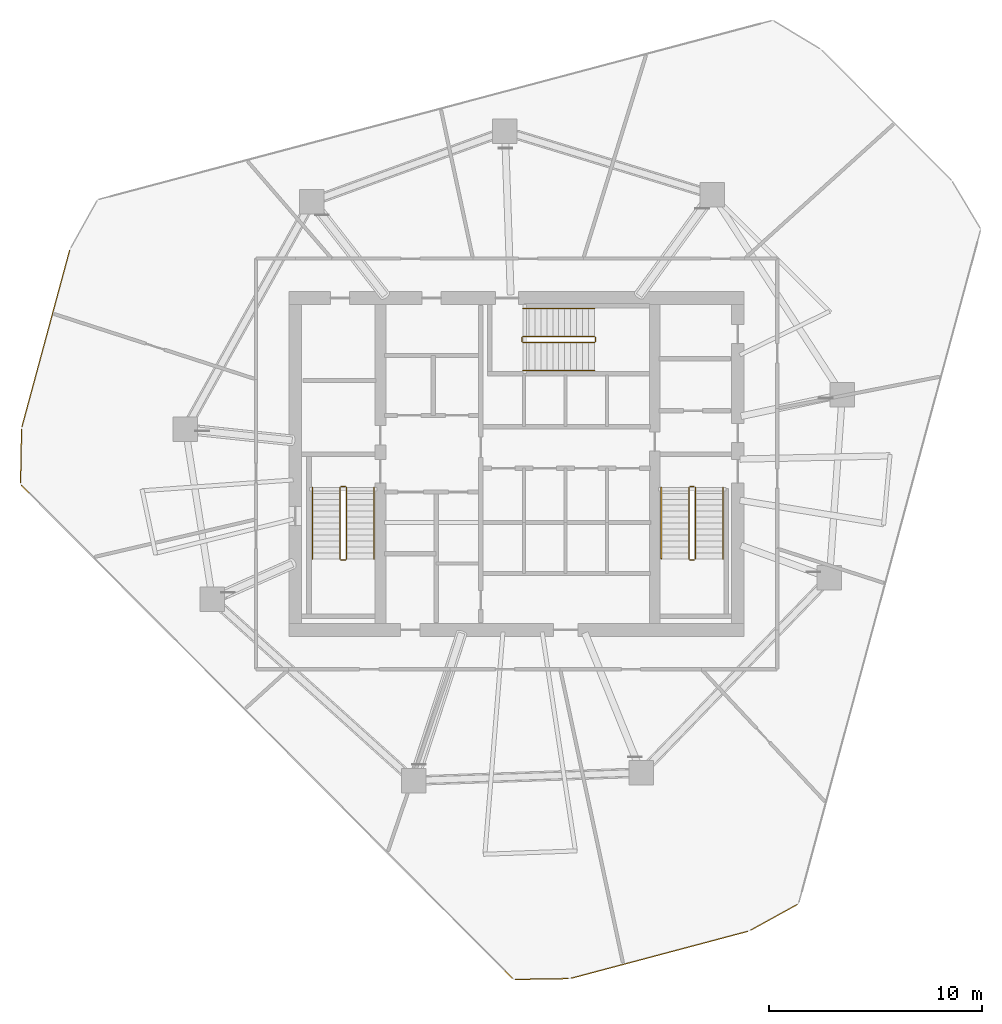
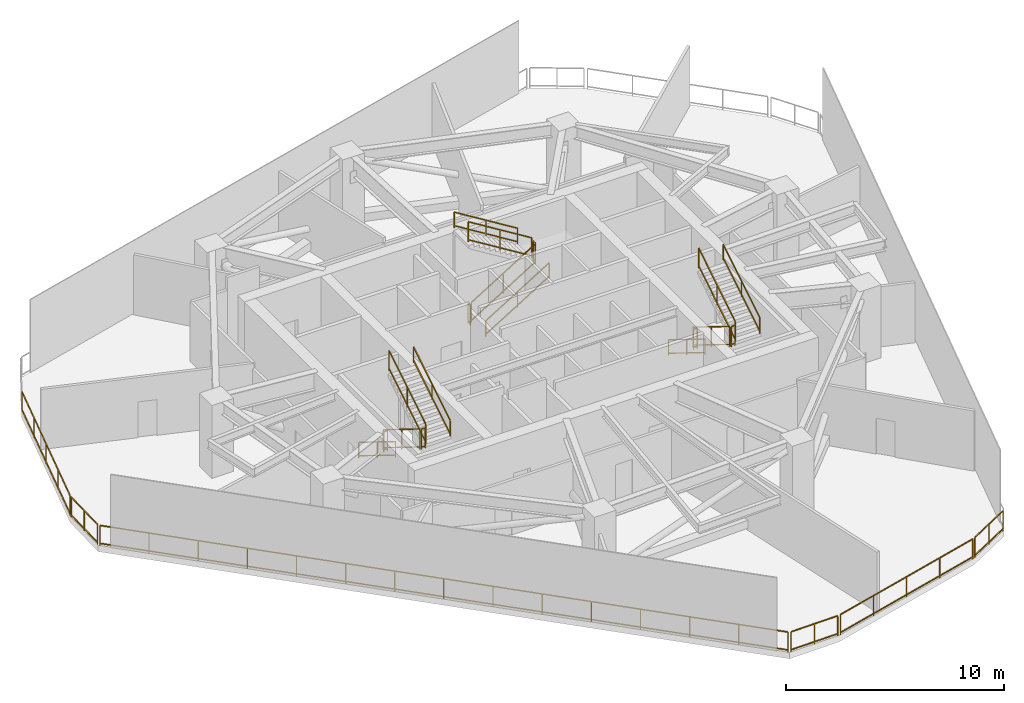
# One storey, part 6 of 7: 24 railings.
"""IFC4 building model written with IfcOpenShell, lengths in metres."""

from ifc_helpers import new_model, si_unit, direction, frame, origin, origin_2d, place, context, subcontext, project, spatial, rectangle, extrude, material, type_object, element, save


model = new_model("IFC4")

# Units and contexts
model_context = context("Model", 3, precision=1e-05, world=origin(), true_north=direction((0.0, 1.0)))
body_context = subcontext(model_context, "Body", "Model", "MODEL_VIEW")
ifc_project = project(units=[si_unit("LENGTHUNIT", "METRE"), si_unit("AREAUNIT", "SQUARE_METRE"), si_unit("VOLUMEUNIT", "CUBIC_METRE"), si_unit("PLANEANGLEUNIT", "RADIAN"), si_unit("MASSUNIT", "GRAM", prefix="KILO")], contexts=[model_context])

# Site, building, storey
site_placement = place(None, origin())
site = spatial("IfcSite", under=ifc_project, at=site_placement, CompositionType="ELEMENT")
building_placement = place(site_placement, origin())
building = spatial("IfcBuilding", under=site, at=building_placement, Name="Qarnah Convention Tower", CompositionType="ELEMENT")
storey_placement = place(building_placement, frame((0.0, 0.0, 121.199951171875)))
storey = spatial("IfcBuildingStorey", under=building, at=storey_placement, Name="L32", CompositionType="ELEMENT", Elevation=121.199951171875)

# Railings
ifc_material_1 = material(Name="Black anodised aluminium", Category="aluminium")
railing_type_1 = type_object("IfcRailingType", Name="RL-EXT-GUARD-1150", PredefinedType="GUARDRAIL", material=ifc_material_1)
railing_1_placement = place(storey_placement, frame((50.39111328125, 5.68798828125, 0.0)))
element("IfcRailing", 1, at=railing_1_placement, inside=storey, type_object=railing_type_1, Name="L32 open refuge and plant deck perimeter guard 04", PredefinedType="GUARDRAIL", context=body_context, shape_type="SweptSolid", body=[
    extrude(rectangle(XDim=0.048095703125, YDim=0.048095703125, at=origin_2d()), frame((0.0, 0.0, 1.1259765625), z_axis=(-0.87590509063, -0.48248344242, 0.0), x_axis=(0.48248344242, -0.87590509063, 0.0)), (0.0, 0.0, 1.0), 2.489013671875),
    extrude(rectangle(XDim=0.048095703125, YDim=0.048095703125, at=origin_2d()), frame((0.0, 0.0, 0.1201171875), z_axis=(-0.87590509063, -0.48248344242, 0.0), x_axis=(0.48248344242, -0.87590509063, 0.0)), (0.0, 0.0, 1.0), 2.489013671875),
    extrude(rectangle(XDim=0.0419921875, YDim=0.0419921875, at=origin_2d()), origin(), (0.0, 0.0, 1.0), 1.101806640625),
    extrude(rectangle(XDim=0.0419921875, YDim=0.0419921875, at=origin_2d()), frame((-1.090087890625, -0.6005859375, 0.0)), (0.0, 0.0, 1.0), 1.101806640625),
    extrude(rectangle(XDim=0.0419921875, YDim=0.0419921875, at=origin_2d()), frame((-2.18017578125, -1.200927734375, 0.0)), (0.0, 0.0, 1.0), 1.101806640625),
])
railing_2_placement = place(storey_placement, frame((48.06396484375, 4.427001953125, 0.0)))
element("IfcRailing", 2, at=railing_2_placement, inside=storey, type_object=railing_type_1, Name="L32 open refuge and plant deck perimeter guard 05", PredefinedType="GUARDRAIL", context=body_context, shape_type="SweptSolid", body=[
    extrude(rectangle(XDim=0.048095703125, YDim=0.048095703125, at=origin_2d()), frame((0.0, 0.0, 1.1259765625), z_axis=(-0.966489436028, -0.256706388791, 0.0), x_axis=(0.256706388791, -0.966489436028, 0.0)), (0.0, 0.0, 1.0), 8.566162109375),
    extrude(rectangle(XDim=0.048095703125, YDim=0.048095703125, at=origin_2d()), frame((0.0, 0.0, 0.1201171875), z_axis=(-0.966489436028, -0.256706388791, 0.0), x_axis=(0.256706388791, -0.966489436028, 0.0)), (0.0, 0.0, 1.0), 8.566162109375),
    extrude(rectangle(XDim=0.0419921875, YDim=0.0419921875, at=origin_2d()), origin(), (0.0, 0.0, 1.0), 1.101806640625),
    extrude(rectangle(XDim=0.0419921875, YDim=0.0419921875, at=origin_2d()), frame((-2.06982421875, -0.5498046875, 0.0)), (0.0, 0.0, 1.0), 1.101806640625),
    extrude(rectangle(XDim=0.0419921875, YDim=0.0419921875, at=origin_2d()), frame((-4.1396484375, -1.099609375, 0.0)), (0.0, 0.0, 1.0), 1.101806640625),
    extrude(rectangle(XDim=0.0419921875, YDim=0.0419921875, at=origin_2d()), frame((-6.209228515625, -1.649169921875, 0.0)), (0.0, 0.0, 1.0), 1.101806640625),
    extrude(rectangle(XDim=0.0419921875, YDim=0.0419921875, at=origin_2d()), frame((-8.279052734375, -2.198974609375, 0.0)), (0.0, 0.0, 1.0), 1.101806640625),
])
railing_3_placement = place(storey_placement, frame((39.6279296875, 2.2060546875, 0.0)))
element("IfcRailing", 3, at=railing_3_placement, inside=storey, type_object=railing_type_1, Name="L32 open refuge and plant deck perimeter guard 06", PredefinedType="GUARDRAIL", context=body_context, shape_type="SweptSolid", body=[
    extrude(rectangle(XDim=0.048095703125, YDim=0.048095703125, at=origin_2d()), frame((0.0, 0.0, 1.1259765625), z_axis=(-0.999876775777, -0.015698192928, 0.0), x_axis=(0.015698192928, -0.999876775777, 0.0)), (0.0, 0.0, 1.0), 2.48828125),
    extrude(rectangle(XDim=0.048095703125, YDim=0.048095703125, at=origin_2d()), frame((0.0, 0.0, 0.1201171875), z_axis=(-0.999876775777, -0.015698192928, 0.0), x_axis=(0.015698192928, -0.999876775777, 0.0)), (0.0, 0.0, 1.0), 2.48828125),
    extrude(rectangle(XDim=0.0419921875, YDim=0.0419921875, at=origin_2d()), origin(), (0.0, 0.0, 1.0), 1.101806640625),
    extrude(rectangle(XDim=0.0419921875, YDim=0.0419921875, at=origin_2d()), frame((-1.244140625, -0.01953125, 0.0)), (0.0, 0.0, 1.0), 1.101806640625),
    extrude(rectangle(XDim=0.0419921875, YDim=0.0419921875, at=origin_2d()), frame((-2.488037109375, -0.0390625, 0.0)), (0.0, 0.0, 1.0), 1.101806640625),
])
railing_4_placement = place(storey_placement, frame((37.00390625, 2.222900390625, 0.0)))
element("IfcRailing", 4, at=railing_4_placement, inside=storey, type_object=railing_type_1, Name="L32 open refuge and plant deck perimeter guard 07", PredefinedType="GUARDRAIL", context=body_context, shape_type="SweptSolid", body=[
    extrude(rectangle(XDim=0.048095703125, YDim=0.048095703125, at=origin_2d()), frame((0.0, 0.0, 1.1259765625), z_axis=(-0.705648964723, 0.7085615983, 0.0), x_axis=(-0.7085615983, -0.705648964723, 0.0)), (0.0, 0.0, 1.0), 32.690185546875),
    extrude(rectangle(XDim=0.048095703125, YDim=0.048095703125, at=origin_2d()), frame((0.0, 0.0, 0.1201171875), z_axis=(-0.705648964723, 0.7085615983, 0.0), x_axis=(-0.7085615983, -0.705648964723, 0.0)), (0.0, 0.0, 1.0), 32.690185546875),
    extrude(rectangle(XDim=0.0419921875, YDim=0.0419921875, at=origin_2d()), origin(), (0.0, 0.0, 1.0), 1.101806640625),
    extrude(rectangle(XDim=0.0419921875, YDim=0.0419921875, at=origin_2d()), frame((-1.647705078125, 1.654541015625, 0.0)), (0.0, 0.0, 1.0), 1.101806640625),
    extrude(rectangle(XDim=0.0419921875, YDim=0.0419921875, at=origin_2d()), frame((-3.29541015625, 3.30908203125, 0.0)), (0.0, 0.0, 1.0), 1.101806640625),
    extrude(rectangle(XDim=0.0419921875, YDim=0.0419921875, at=origin_2d()), frame((-4.943115234375, 4.963623046875, 0.0)), (0.0, 0.0, 1.0), 1.101806640625),
    extrude(rectangle(XDim=0.0419921875, YDim=0.0419921875, at=origin_2d()), frame((-6.5908203125, 6.617919921875, 0.0)), (0.0, 0.0, 1.0), 1.101806640625),
    extrude(rectangle(XDim=0.0419921875, YDim=0.0419921875, at=origin_2d()), frame((-8.238525390625, 8.2724609375, 0.0)), (0.0, 0.0, 1.0), 1.101806640625),
    extrude(rectangle(XDim=0.0419921875, YDim=0.0419921875, at=origin_2d()), frame((-9.88623046875, 9.927001953125, 0.0)), (0.0, 0.0, 1.0), 1.101806640625),
    extrude(rectangle(XDim=0.0419921875, YDim=0.0419921875, at=origin_2d()), frame((-11.533935546875, 11.58154296875, 0.0)), (0.0, 0.0, 1.0), 1.101806640625),
    extrude(rectangle(XDim=0.0419921875, YDim=0.0419921875, at=origin_2d()), frame((-13.181640625, 13.236083984375, 0.0)), (0.0, 0.0, 1.0), 1.101806640625),
    extrude(rectangle(XDim=0.0419921875, YDim=0.0419921875, at=origin_2d()), frame((-14.829345703125, 14.890625, 0.0)), (0.0, 0.0, 1.0), 1.101806640625),
    extrude(rectangle(XDim=0.0419921875, YDim=0.0419921875, at=origin_2d()), frame((-16.47705078125, 16.545166015625, 0.0)), (0.0, 0.0, 1.0), 1.101806640625),
    extrude(rectangle(XDim=0.0419921875, YDim=0.0419921875, at=origin_2d()), frame((-18.124755859375, 18.199462890625, 0.0)), (0.0, 0.0, 1.0), 1.101806640625),
    extrude(rectangle(XDim=0.0419921875, YDim=0.0419921875, at=origin_2d()), frame((-19.7724609375, 19.85400390625, 0.0)), (0.0, 0.0, 1.0), 1.101806640625),
    extrude(rectangle(XDim=0.0419921875, YDim=0.0419921875, at=origin_2d()), frame((-21.420166015625, 21.508544921875, 0.0)), (0.0, 0.0, 1.0), 1.101806640625),
    extrude(rectangle(XDim=0.0419921875, YDim=0.0419921875, at=origin_2d()), frame((-23.06787109375, 23.1630859375, 0.0)), (0.0, 0.0, 1.0), 1.101806640625),
])
railing_5_placement = place(storey_placement, frame((13.882080078125, 25.52294921875, 0.0)))
element("IfcRailing", 5, at=railing_5_placement, inside=storey, type_object=railing_type_1, Name="L32 open refuge and plant deck perimeter guard 08", PredefinedType="GUARDRAIL", context=body_context, shape_type="SweptSolid", body=[
    extrude(rectangle(XDim=0.048095703125, YDim=0.048095703125, at=origin_2d()), frame((0.0, 0.0, 1.1259765625), z_axis=(0.019221558486, 0.999815248778, 0.0), x_axis=(-0.999815248778, 0.019221558486, 0.0)), (0.0, 0.0, 1.0), 2.489501953125),
    extrude(rectangle(XDim=0.048095703125, YDim=0.048095703125, at=origin_2d()), frame((0.0, 0.0, 0.1201171875), z_axis=(0.019221558486, 0.999815248778, 0.0), x_axis=(-0.999815248778, 0.019221558486, 0.0)), (0.0, 0.0, 1.0), 2.489501953125),
    extrude(rectangle(XDim=0.0419921875, YDim=0.0419921875, at=origin_2d()), origin(), (0.0, 0.0, 1.0), 1.101806640625),
    extrude(rectangle(XDim=0.0419921875, YDim=0.0419921875, at=origin_2d()), frame((0.02392578125, 1.24462890625, 0.0)), (0.0, 0.0, 1.0), 1.101806640625),
    extrude(rectangle(XDim=0.0419921875, YDim=0.0419921875, at=origin_2d()), frame((0.0478515625, 2.489013671875, 0.0)), (0.0, 0.0, 1.0), 1.101806640625),
])
railing_6_placement = place(storey_placement, frame((13.952880859375, 28.1689453125, 0.0)))
element("IfcRailing", 6, at=railing_6_placement, inside=storey, type_object=railing_type_1, Name="L32 open refuge and plant deck perimeter guard 09", PredefinedType="GUARDRAIL", context=body_context, shape_type="SweptSolid", body=[
    extrude(rectangle(XDim=0.048095703125, YDim=0.048095703125, at=origin_2d()), frame((0.0, 0.0, 1.1259765625), z_axis=(0.260827901248, 0.965385314748, 0.0), x_axis=(-0.965385314748, 0.260827901248, 0.0)), (0.0, 0.0, 1.0), 8.5654296875),
    extrude(rectangle(XDim=0.048095703125, YDim=0.048095703125, at=origin_2d()), frame((0.0, 0.0, 0.1201171875), z_axis=(0.260827901248, 0.965385314748, 0.0), x_axis=(-0.965385314748, 0.260827901248, 0.0)), (0.0, 0.0, 1.0), 8.5654296875),
    extrude(rectangle(XDim=0.0419921875, YDim=0.0419921875, at=origin_2d()), origin(), (0.0, 0.0, 1.0), 1.101806640625),
    extrude(rectangle(XDim=0.0419921875, YDim=0.0419921875, at=origin_2d()), frame((0.55859375, 2.0673828125, 0.0)), (0.0, 0.0, 1.0), 1.101806640625),
    extrude(rectangle(XDim=0.0419921875, YDim=0.0419921875, at=origin_2d()), frame((1.1171875, 4.134521484375, 0.0)), (0.0, 0.0, 1.0), 1.101806640625),
    extrude(rectangle(XDim=0.0419921875, YDim=0.0419921875, at=origin_2d()), frame((1.675537109375, 6.20166015625, 0.0)), (0.0, 0.0, 1.0), 1.101806640625),
    extrude(rectangle(XDim=0.0419921875, YDim=0.0419921875, at=origin_2d()), frame((2.234130859375, 8.26904296875, 0.0)), (0.0, 0.0, 1.0), 1.101806640625),
])
ifc_material_2 = material(Name="Structural steel S355JR", Category="steel")
railing_type_2 = type_object("IfcRailingType", Name="RL-STAIR-GUARD-1150", PredefinedType="GUARDRAIL", material=ifc_material_2)
railing_7_placement = place(storey_placement, frame((28.89990234375, 25.300048828125, 0.173095703125)))
element("IfcRailing", 7, at=railing_7_placement, inside=storey, type_object=railing_type_2, Name="L32 ST-1 stair guard 1", PredefinedType="GUARDRAIL", context=body_context, shape_type="SweptSolid", body=[
    extrude(rectangle(XDim=0.048095703125, YDim=0.048095703125, at=origin_2d()), frame((0.0, 0.0, 1.1259765625), z_axis=(0.0, -0.850623216509, 0.525775754039), x_axis=(1.0, 0.0, 0.0)), (0.0, 0.0, 1.0), 3.9501953125),
    extrude(rectangle(XDim=0.048095703125, YDim=0.048095703125, at=origin_2d()), frame((0.0, 0.0, 0.1201171875), z_axis=(0.0, -0.850623216509, 0.525775754039), x_axis=(1.0, 0.0, 0.0)), (0.0, 0.0, 1.0), 3.9501953125),
    extrude(rectangle(XDim=0.0419921875, YDim=0.0419921875, at=origin_2d()), origin(), (0.0, 0.0, 1.0), 1.101806640625),
    extrude(rectangle(XDim=0.0419921875, YDim=0.0419921875, at=origin_2d()), frame((0.0, -1.68017578125, 1.03857421875)), (0.0, 0.0, 1.0), 1.101806640625),
    extrude(rectangle(XDim=0.0419921875, YDim=0.0419921875, at=origin_2d()), frame((0.0, -3.360107421875, 2.076904296875)), (0.0, 0.0, 1.0), 1.101806640625),
])
railing_8_placement = place(storey_placement, frame((28.949951171875, 21.889892578125, 2.25)))
element("IfcRailing", 8, at=railing_8_placement, inside=storey, type_object=railing_type_2, Name="L32 ST-1 stair guard 2", PredefinedType="GUARDRAIL", context=body_context, shape_type="SweptSolid", body=[
    extrude(rectangle(XDim=0.048095703125, YDim=0.048095703125, at=origin_2d()), frame((0.0, 0.0, 1.1259765625), z_axis=(1.0, 0.0, 0.0), x_axis=(0.0, 1.0, 0.0)), (0.0, 0.0, 1.0), 0.199951171875),
    extrude(rectangle(XDim=0.048095703125, YDim=0.048095703125, at=origin_2d()), frame((0.0, 0.0, 0.1201171875), z_axis=(1.0, 0.0, 0.0), x_axis=(0.0, 1.0, 0.0)), (0.0, 0.0, 1.0), 0.199951171875),
    extrude(rectangle(XDim=0.0419921875, YDim=0.0419921875, at=origin_2d()), origin(), (0.0, 0.0, 1.0), 1.101806640625),
    extrude(rectangle(XDim=0.0419921875, YDim=0.0419921875, at=origin_2d()), frame((0.199951171875, 0.0, 0.0)), (0.0, 0.0, 1.0), 1.101806640625),
])
railing_9_placement = place(storey_placement, frame((29.199951171875, 21.93994140625, 2.423095703125)))
element("IfcRailing", 9, at=railing_9_placement, inside=storey, type_object=railing_type_2, Name="L32 ST-1 stair guard 3", PredefinedType="GUARDRAIL", context=body_context, shape_type="SweptSolid", body=[
    extrude(rectangle(XDim=0.048095703125, YDim=0.048095703125, at=origin_2d()), frame((0.0, 0.0, 1.1259765625), z_axis=(0.0, 0.850623216509, 0.525775754039), x_axis=(-1.0, 0.0, 0.0)), (0.0, 0.0, 1.0), 3.9501953125),
    extrude(rectangle(XDim=0.048095703125, YDim=0.048095703125, at=origin_2d()), frame((0.0, 0.0, 0.1201171875), z_axis=(0.0, 0.850623216509, 0.525775754039), x_axis=(-1.0, 0.0, 0.0)), (0.0, 0.0, 1.0), 3.9501953125),
    extrude(rectangle(XDim=0.0419921875, YDim=0.0419921875, at=origin_2d()), origin(), (0.0, 0.0, 1.0), 1.101806640625),
    extrude(rectangle(XDim=0.0419921875, YDim=0.0419921875, at=origin_2d()), frame((0.0, 1.68017578125, 1.03857421875)), (0.0, 0.0, 1.0), 1.101806640625),
    extrude(rectangle(XDim=0.0419921875, YDim=0.0419921875, at=origin_2d()), frame((0.0, 3.360107421875, 2.076904296875)), (0.0, 0.0, 1.0), 1.101806640625),
])
railing_10_placement = place(storey_placement, frame((28.949951171875, 25.35009765625, 0.0)))
element("IfcRailing", 10, at=railing_10_placement, inside=storey, type_object=railing_type_2, Name="L32 ST-1 stair guard 4", PredefinedType="GUARDRAIL", context=body_context, shape_type="SweptSolid", body=[
    extrude(rectangle(XDim=0.048095703125, YDim=0.048095703125, at=origin_2d()), frame((0.0, 0.0, 1.1259765625), z_axis=(1.0, 0.0, 0.0), x_axis=(0.0, 1.0, 0.0)), (0.0, 0.0, 1.0), 0.199951171875),
    extrude(rectangle(XDim=0.048095703125, YDim=0.048095703125, at=origin_2d()), frame((0.0, 0.0, 0.1201171875), z_axis=(1.0, 0.0, 0.0), x_axis=(0.0, 1.0, 0.0)), (0.0, 0.0, 1.0), 0.199951171875),
    extrude(rectangle(XDim=0.0419921875, YDim=0.0419921875, at=origin_2d()), origin(), (0.0, 0.0, 1.0), 1.101806640625),
    extrude(rectangle(XDim=0.0419921875, YDim=0.0419921875, at=origin_2d()), frame((0.199951171875, 0.0, 0.0)), (0.0, 0.0, 1.0), 1.101806640625),
])
railing_11_placement = place(storey_placement, frame((45.300048828125, 25.300048828125, 0.173095703125)))
element("IfcRailing", 11, at=railing_11_placement, inside=storey, type_object=railing_type_2, Name="L32 ST-2 stair guard 1", PredefinedType="GUARDRAIL", context=body_context, shape_type="SweptSolid", body=[
    extrude(rectangle(XDim=0.048095703125, YDim=0.048095703125, at=origin_2d()), frame((0.0, 0.0, 1.1259765625), z_axis=(0.0, -0.850623216509, 0.525775754039), x_axis=(1.0, 0.0, 0.0)), (0.0, 0.0, 1.0), 3.9501953125),
    extrude(rectangle(XDim=0.048095703125, YDim=0.048095703125, at=origin_2d()), frame((0.0, 0.0, 0.1201171875), z_axis=(0.0, -0.850623216509, 0.525775754039), x_axis=(1.0, 0.0, 0.0)), (0.0, 0.0, 1.0), 3.9501953125),
    extrude(rectangle(XDim=0.0419921875, YDim=0.0419921875, at=origin_2d()), origin(), (0.0, 0.0, 1.0), 1.101806640625),
    extrude(rectangle(XDim=0.0419921875, YDim=0.0419921875, at=origin_2d()), frame((0.0, -1.68017578125, 1.03857421875)), (0.0, 0.0, 1.0), 1.101806640625),
    extrude(rectangle(XDim=0.0419921875, YDim=0.0419921875, at=origin_2d()), frame((0.0, -3.360107421875, 2.076904296875)), (0.0, 0.0, 1.0), 1.101806640625),
])
railing_12_placement = place(storey_placement, frame((45.35009765625, 21.889892578125, 2.25)))
element("IfcRailing", 12, at=railing_12_placement, inside=storey, type_object=railing_type_2, Name="L32 ST-2 stair guard 2", PredefinedType="GUARDRAIL", context=body_context, shape_type="SweptSolid", body=[
    extrude(rectangle(XDim=0.048095703125, YDim=0.048095703125, at=origin_2d()), frame((0.0, 0.0, 1.1259765625), z_axis=(1.0, 0.0, 0.0), x_axis=(0.0, 1.0, 0.0)), (0.0, 0.0, 1.0), 0.199951171875),
    extrude(rectangle(XDim=0.048095703125, YDim=0.048095703125, at=origin_2d()), frame((0.0, 0.0, 0.1201171875), z_axis=(1.0, 0.0, 0.0), x_axis=(0.0, 1.0, 0.0)), (0.0, 0.0, 1.0), 0.199951171875),
    extrude(rectangle(XDim=0.0419921875, YDim=0.0419921875, at=origin_2d()), origin(), (0.0, 0.0, 1.0), 1.101806640625),
    extrude(rectangle(XDim=0.0419921875, YDim=0.0419921875, at=origin_2d()), frame((0.199951171875, 0.0, 0.0)), (0.0, 0.0, 1.0), 1.101806640625),
])
railing_13_placement = place(storey_placement, frame((45.60009765625, 21.93994140625, 2.423095703125)))
element("IfcRailing", 13, at=railing_13_placement, inside=storey, type_object=railing_type_2, Name="L32 ST-2 stair guard 3", PredefinedType="GUARDRAIL", context=body_context, shape_type="SweptSolid", body=[
    extrude(rectangle(XDim=0.048095703125, YDim=0.048095703125, at=origin_2d()), frame((0.0, 0.0, 1.1259765625), z_axis=(0.0, 0.850623216509, 0.525775754039), x_axis=(-1.0, 0.0, 0.0)), (0.0, 0.0, 1.0), 3.9501953125),
    extrude(rectangle(XDim=0.048095703125, YDim=0.048095703125, at=origin_2d()), frame((0.0, 0.0, 0.1201171875), z_axis=(0.0, 0.850623216509, 0.525775754039), x_axis=(-1.0, 0.0, 0.0)), (0.0, 0.0, 1.0), 3.9501953125),
    extrude(rectangle(XDim=0.0419921875, YDim=0.0419921875, at=origin_2d()), origin(), (0.0, 0.0, 1.0), 1.101806640625),
    extrude(rectangle(XDim=0.0419921875, YDim=0.0419921875, at=origin_2d()), frame((0.0, 1.68017578125, 1.03857421875)), (0.0, 0.0, 1.0), 1.101806640625),
    extrude(rectangle(XDim=0.0419921875, YDim=0.0419921875, at=origin_2d()), frame((0.0, 3.360107421875, 2.076904296875)), (0.0, 0.0, 1.0), 1.101806640625),
])
railing_14_placement = place(storey_placement, frame((45.35009765625, 25.35009765625, 0.0)))
element("IfcRailing", 14, at=railing_14_placement, inside=storey, type_object=railing_type_2, Name="L32 ST-2 stair guard 4", PredefinedType="GUARDRAIL", context=body_context, shape_type="SweptSolid", body=[
    extrude(rectangle(XDim=0.048095703125, YDim=0.048095703125, at=origin_2d()), frame((0.0, 0.0, 1.1259765625), z_axis=(1.0, 0.0, 0.0), x_axis=(0.0, 1.0, 0.0)), (0.0, 0.0, 1.0), 0.199951171875),
    extrude(rectangle(XDim=0.048095703125, YDim=0.048095703125, at=origin_2d()), frame((0.0, 0.0, 0.1201171875), z_axis=(1.0, 0.0, 0.0), x_axis=(0.0, 1.0, 0.0)), (0.0, 0.0, 1.0), 0.199951171875),
    extrude(rectangle(XDim=0.0419921875, YDim=0.0419921875, at=origin_2d()), origin(), (0.0, 0.0, 1.0), 1.101806640625),
    extrude(rectangle(XDim=0.0419921875, YDim=0.0419921875, at=origin_2d()), frame((0.199951171875, 0.0, 0.0)), (0.0, 0.0, 1.0), 1.101806640625),
])
railing_15_placement = place(storey_placement, frame((37.5, 32.10009765625, 0.173095703125)))
element("IfcRailing", 15, at=railing_15_placement, inside=storey, type_object=railing_type_2, Name="L32 ST-3 stair guard 1", PredefinedType="GUARDRAIL", context=body_context, shape_type="SweptSolid", body=[
    extrude(rectangle(XDim=0.048095703125, YDim=0.048095703125, at=origin_2d()), frame((0.0, 0.0, 1.1259765625), z_axis=(0.850623216509, 0.0, 0.525775754039), x_axis=(0.0, 1.0, 0.0)), (0.0, 0.0, 1.0), 3.9501953125),
    extrude(rectangle(XDim=0.048095703125, YDim=0.048095703125, at=origin_2d()), frame((0.0, 0.0, 0.1201171875), z_axis=(0.850623216509, 0.0, 0.525775754039), x_axis=(0.0, 1.0, 0.0)), (0.0, 0.0, 1.0), 3.9501953125),
    extrude(rectangle(XDim=0.0419921875, YDim=0.0419921875, at=origin_2d()), origin(), (0.0, 0.0, 1.0), 1.101806640625),
    extrude(rectangle(XDim=0.0419921875, YDim=0.0419921875, at=origin_2d()), frame((1.68017578125, 0.0, 1.03857421875)), (0.0, 0.0, 1.0), 1.101806640625),
    extrude(rectangle(XDim=0.0419921875, YDim=0.0419921875, at=origin_2d()), frame((3.360107421875, 0.0, 2.076904296875)), (0.0, 0.0, 1.0), 1.101806640625),
])
railing_16_placement = place(storey_placement, frame((40.909912109375, 32.14990234375, 2.25)))
element("IfcRailing", 16, at=railing_16_placement, inside=storey, type_object=railing_type_2, Name="L32 ST-3 stair guard 2", PredefinedType="GUARDRAIL", context=body_context, shape_type="SweptSolid", body=[
    extrude(rectangle(XDim=0.048095703125, YDim=0.048095703125, at=origin_2d()), frame((0.0, 0.0, 1.1259765625), z_axis=(0.0, 1.0, 0.0), x_axis=(-1.0, 0.0, 0.0)), (0.0, 0.0, 1.0), 0.2001953125),
    extrude(rectangle(XDim=0.048095703125, YDim=0.048095703125, at=origin_2d()), frame((0.0, 0.0, 0.1201171875), z_axis=(0.0, 1.0, 0.0), x_axis=(-1.0, 0.0, 0.0)), (0.0, 0.0, 1.0), 0.2001953125),
    extrude(rectangle(XDim=0.0419921875, YDim=0.0419921875, at=origin_2d()), origin(), (0.0, 0.0, 1.0), 1.101806640625),
    extrude(rectangle(XDim=0.0419921875, YDim=0.0419921875, at=origin_2d()), frame((0.0, 0.2001953125, 0.0)), (0.0, 0.0, 1.0), 1.101806640625),
])
railing_17_placement = place(storey_placement, frame((40.860107421875, 32.39990234375, 2.423095703125)))
element("IfcRailing", 17, at=railing_17_placement, inside=storey, type_object=railing_type_2, Name="L32 ST-3 stair guard 3", PredefinedType="GUARDRAIL", context=body_context, shape_type="SweptSolid", body=[
    extrude(rectangle(XDim=0.048095703125, YDim=0.048095703125, at=origin_2d()), frame((0.0, 0.0, 1.1259765625), z_axis=(-0.850623216509, 0.0, 0.525775754039), x_axis=(0.0, -1.0, 0.0)), (0.0, 0.0, 1.0), 3.9501953125),
    extrude(rectangle(XDim=0.048095703125, YDim=0.048095703125, at=origin_2d()), frame((0.0, 0.0, 0.1201171875), z_axis=(-0.850623216509, 0.0, 0.525775754039), x_axis=(0.0, -1.0, 0.0)), (0.0, 0.0, 1.0), 3.9501953125),
    extrude(rectangle(XDim=0.0419921875, YDim=0.0419921875, at=origin_2d()), origin(), (0.0, 0.0, 1.0), 1.101806640625),
    extrude(rectangle(XDim=0.0419921875, YDim=0.0419921875, at=origin_2d()), frame((-1.68017578125, 0.0, 1.03857421875)), (0.0, 0.0, 1.0), 1.101806640625),
    extrude(rectangle(XDim=0.0419921875, YDim=0.0419921875, at=origin_2d()), frame((-3.360107421875, 0.0, 2.076904296875)), (0.0, 0.0, 1.0), 1.101806640625),
])
railing_18_placement = place(storey_placement, frame((37.449951171875, 32.14990234375, 0.0)))
element("IfcRailing", 18, at=railing_18_placement, inside=storey, type_object=railing_type_2, Name="L32 ST-3 stair guard 4", PredefinedType="GUARDRAIL", context=body_context, shape_type="SweptSolid", body=[
    extrude(rectangle(XDim=0.048095703125, YDim=0.048095703125, at=origin_2d()), frame((0.0, 0.0, 1.1259765625), z_axis=(0.0, 1.0, 0.0), x_axis=(-1.0, 0.0, 0.0)), (0.0, 0.0, 1.0), 0.2001953125),
    extrude(rectangle(XDim=0.048095703125, YDim=0.048095703125, at=origin_2d()), frame((0.0, 0.0, 0.1201171875), z_axis=(0.0, 1.0, 0.0), x_axis=(-1.0, 0.0, 0.0)), (0.0, 0.0, 1.0), 0.2001953125),
    extrude(rectangle(XDim=0.0419921875, YDim=0.0419921875, at=origin_2d()), origin(), (0.0, 0.0, 1.0), 1.101806640625),
    extrude(rectangle(XDim=0.0419921875, YDim=0.0419921875, at=origin_2d()), frame((0.0, 0.2001953125, 0.0)), (0.0, 0.0, 1.0), 1.101806640625),
])
railing_type_3 = type_object("IfcRailingType", Name="RL-STAIR-HAND-900", PredefinedType="HANDRAIL", material=ifc_material_2)
railing_19_placement = place(storey_placement, frame((27.60009765625, 25.300048828125, 0.173095703125)))
element("IfcRailing", 19, at=railing_19_placement, inside=storey, type_object=railing_type_3, Name="L32 ST-1 stair handrail 1", PredefinedType="HANDRAIL", context=body_context, shape_type="SweptSolid", body=[
    extrude(rectangle(XDim=0.048095703125, YDim=0.048095703125, at=origin_2d()), frame((0.0, 0.0, 0.8759765625), z_axis=(0.0, -0.850623216509, 0.525775754039), x_axis=(1.0, 0.0, 0.0)), (0.0, 0.0, 1.0), 3.9501953125),
    extrude(rectangle(XDim=0.048095703125, YDim=0.048095703125, at=origin_2d()), frame((0.0, 0.0, 0.1201171875), z_axis=(0.0, -0.850623216509, 0.525775754039), x_axis=(1.0, 0.0, 0.0)), (0.0, 0.0, 1.0), 3.9501953125),
    extrude(rectangle(XDim=0.0419921875, YDim=0.0419921875, at=origin_2d()), origin(), (0.0, 0.0, 1.0), 0.851806640625),
    extrude(rectangle(XDim=0.0419921875, YDim=0.0419921875, at=origin_2d()), frame((0.0, -1.68017578125, 1.03857421875)), (0.0, 0.0, 1.0), 0.851806640625),
    extrude(rectangle(XDim=0.0419921875, YDim=0.0419921875, at=origin_2d()), frame((0.0, -3.360107421875, 2.076904296875)), (0.0, 0.0, 1.0), 0.851806640625),
])
railing_20_placement = place(storey_placement, frame((30.5, 21.93994140625, 2.423095703125)))
element("IfcRailing", 20, at=railing_20_placement, inside=storey, type_object=railing_type_3, Name="L32 ST-1 stair handrail 2", PredefinedType="HANDRAIL", context=body_context, shape_type="SweptSolid", body=[
    extrude(rectangle(XDim=0.048095703125, YDim=0.048095703125, at=origin_2d()), frame((0.0, 0.0, 0.8759765625), z_axis=(0.0, 0.850623216509, 0.525775754039), x_axis=(-1.0, 0.0, 0.0)), (0.0, 0.0, 1.0), 3.9501953125),
    extrude(rectangle(XDim=0.048095703125, YDim=0.048095703125, at=origin_2d()), frame((0.0, 0.0, 0.1201171875), z_axis=(0.0, 0.850623216509, 0.525775754039), x_axis=(-1.0, 0.0, 0.0)), (0.0, 0.0, 1.0), 3.9501953125),
    extrude(rectangle(XDim=0.0419921875, YDim=0.0419921875, at=origin_2d()), origin(), (0.0, 0.0, 1.0), 0.851806640625),
    extrude(rectangle(XDim=0.0419921875, YDim=0.0419921875, at=origin_2d()), frame((0.0, 1.68017578125, 1.03857421875)), (0.0, 0.0, 1.0), 0.851806640625),
    extrude(rectangle(XDim=0.0419921875, YDim=0.0419921875, at=origin_2d()), frame((0.0, 3.360107421875, 2.076904296875)), (0.0, 0.0, 1.0), 0.851806640625),
])
railing_21_placement = place(storey_placement, frame((44.0, 25.300048828125, 0.173095703125)))
element("IfcRailing", 21, at=railing_21_placement, inside=storey, type_object=railing_type_3, Name="L32 ST-2 stair handrail 1", PredefinedType="HANDRAIL", context=body_context, shape_type="SweptSolid", body=[
    extrude(rectangle(XDim=0.048095703125, YDim=0.048095703125, at=origin_2d()), frame((0.0, 0.0, 0.8759765625), z_axis=(0.0, -0.850623216509, 0.525775754039), x_axis=(1.0, 0.0, 0.0)), (0.0, 0.0, 1.0), 3.9501953125),
    extrude(rectangle(XDim=0.048095703125, YDim=0.048095703125, at=origin_2d()), frame((0.0, 0.0, 0.1201171875), z_axis=(0.0, -0.850623216509, 0.525775754039), x_axis=(1.0, 0.0, 0.0)), (0.0, 0.0, 1.0), 3.9501953125),
    extrude(rectangle(XDim=0.0419921875, YDim=0.0419921875, at=origin_2d()), origin(), (0.0, 0.0, 1.0), 0.851806640625),
    extrude(rectangle(XDim=0.0419921875, YDim=0.0419921875, at=origin_2d()), frame((0.0, -1.68017578125, 1.03857421875)), (0.0, 0.0, 1.0), 0.851806640625),
    extrude(rectangle(XDim=0.0419921875, YDim=0.0419921875, at=origin_2d()), frame((0.0, -3.360107421875, 2.076904296875)), (0.0, 0.0, 1.0), 0.851806640625),
])
railing_22_placement = place(storey_placement, frame((46.89990234375, 21.93994140625, 2.423095703125)))
element("IfcRailing", 22, at=railing_22_placement, inside=storey, type_object=railing_type_3, Name="L32 ST-2 stair handrail 2", PredefinedType="HANDRAIL", context=body_context, shape_type="SweptSolid", body=[
    extrude(rectangle(XDim=0.048095703125, YDim=0.048095703125, at=origin_2d()), frame((0.0, 0.0, 0.8759765625), z_axis=(0.0, 0.850623216509, 0.525775754039), x_axis=(-1.0, 0.0, 0.0)), (0.0, 0.0, 1.0), 3.9501953125),
    extrude(rectangle(XDim=0.048095703125, YDim=0.048095703125, at=origin_2d()), frame((0.0, 0.0, 0.1201171875), z_axis=(0.0, 0.850623216509, 0.525775754039), x_axis=(-1.0, 0.0, 0.0)), (0.0, 0.0, 1.0), 3.9501953125),
    extrude(rectangle(XDim=0.0419921875, YDim=0.0419921875, at=origin_2d()), origin(), (0.0, 0.0, 1.0), 0.851806640625),
    extrude(rectangle(XDim=0.0419921875, YDim=0.0419921875, at=origin_2d()), frame((0.0, 1.68017578125, 1.03857421875)), (0.0, 0.0, 1.0), 0.851806640625),
    extrude(rectangle(XDim=0.0419921875, YDim=0.0419921875, at=origin_2d()), frame((0.0, 3.360107421875, 2.076904296875)), (0.0, 0.0, 1.0), 0.851806640625),
])
railing_23_placement = place(storey_placement, frame((37.5, 30.800048828125, 0.173095703125)))
element("IfcRailing", 23, at=railing_23_placement, inside=storey, type_object=railing_type_3, Name="L32 ST-3 stair handrail 1", PredefinedType="HANDRAIL", context=body_context, shape_type="SweptSolid", body=[
    extrude(rectangle(XDim=0.048095703125, YDim=0.048095703125, at=origin_2d()), frame((0.0, 0.0, 0.8759765625), z_axis=(0.850623216509, 0.0, 0.525775754039), x_axis=(0.0, 1.0, 0.0)), (0.0, 0.0, 1.0), 3.9501953125),
    extrude(rectangle(XDim=0.048095703125, YDim=0.048095703125, at=origin_2d()), frame((0.0, 0.0, 0.1201171875), z_axis=(0.850623216509, 0.0, 0.525775754039), x_axis=(0.0, 1.0, 0.0)), (0.0, 0.0, 1.0), 3.9501953125),
    extrude(rectangle(XDim=0.0419921875, YDim=0.0419921875, at=origin_2d()), origin(), (0.0, 0.0, 1.0), 0.851806640625),
    extrude(rectangle(XDim=0.0419921875, YDim=0.0419921875, at=origin_2d()), frame((1.68017578125, 0.0, 1.03857421875)), (0.0, 0.0, 1.0), 0.851806640625),
    extrude(rectangle(XDim=0.0419921875, YDim=0.0419921875, at=origin_2d()), frame((3.360107421875, 0.0, 2.076904296875)), (0.0, 0.0, 1.0), 0.851806640625),
])
railing_24_placement = place(storey_placement, frame((40.860107421875, 33.699951171875, 2.423095703125)))
element("IfcRailing", 24, at=railing_24_placement, inside=storey, type_object=railing_type_3, Name="L32 ST-3 stair handrail 2", PredefinedType="HANDRAIL", context=body_context, shape_type="SweptSolid", body=[
    extrude(rectangle(XDim=0.048095703125, YDim=0.048095703125, at=origin_2d()), frame((0.0, 0.0, 0.8759765625), z_axis=(-0.850623216509, 0.0, 0.525775754039), x_axis=(0.0, -1.0, 0.0)), (0.0, 0.0, 1.0), 3.9501953125),
    extrude(rectangle(XDim=0.048095703125, YDim=0.048095703125, at=origin_2d()), frame((0.0, 0.0, 0.1201171875), z_axis=(-0.850623216509, 0.0, 0.525775754039), x_axis=(0.0, -1.0, 0.0)), (0.0, 0.0, 1.0), 3.9501953125),
    extrude(rectangle(XDim=0.0419921875, YDim=0.0419921875, at=origin_2d()), origin(), (0.0, 0.0, 1.0), 0.851806640625),
    extrude(rectangle(XDim=0.0419921875, YDim=0.0419921875, at=origin_2d()), frame((-1.68017578125, 0.0, 1.03857421875)), (0.0, 0.0, 1.0), 0.851806640625),
    extrude(rectangle(XDim=0.0419921875, YDim=0.0419921875, at=origin_2d()), frame((-3.360107421875, 0.0, 2.076904296875)), (0.0, 0.0, 1.0), 0.851806640625),
])

save(model, "model.ifc")
